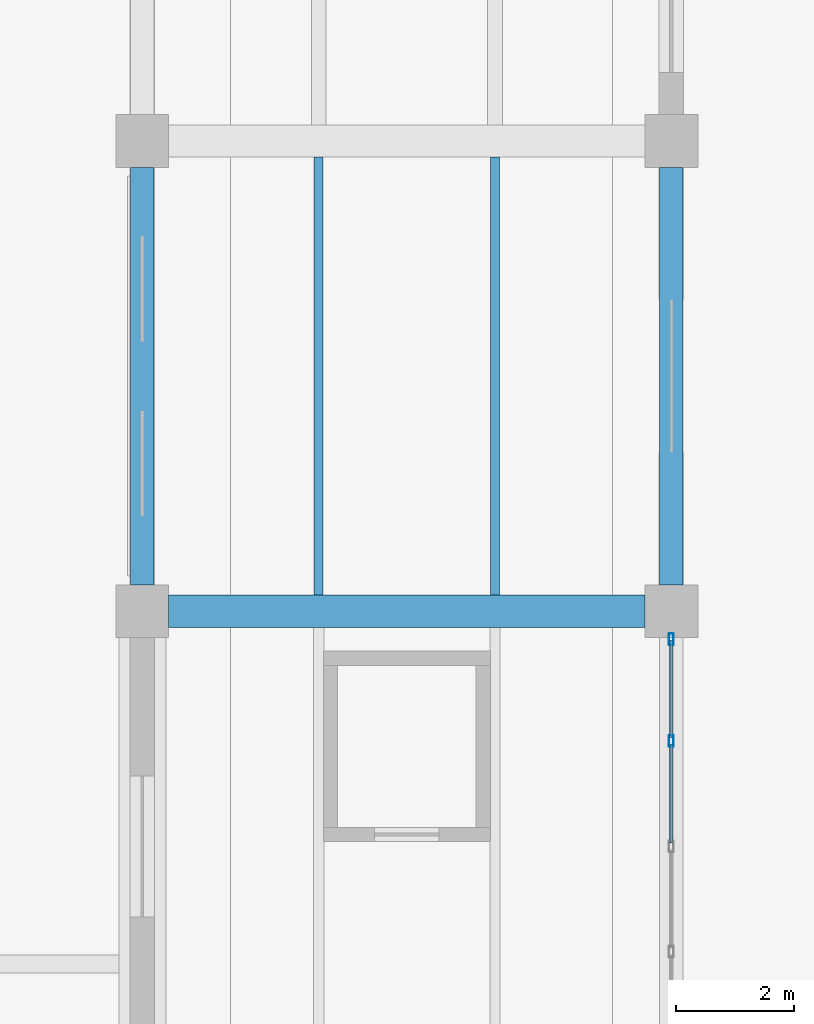
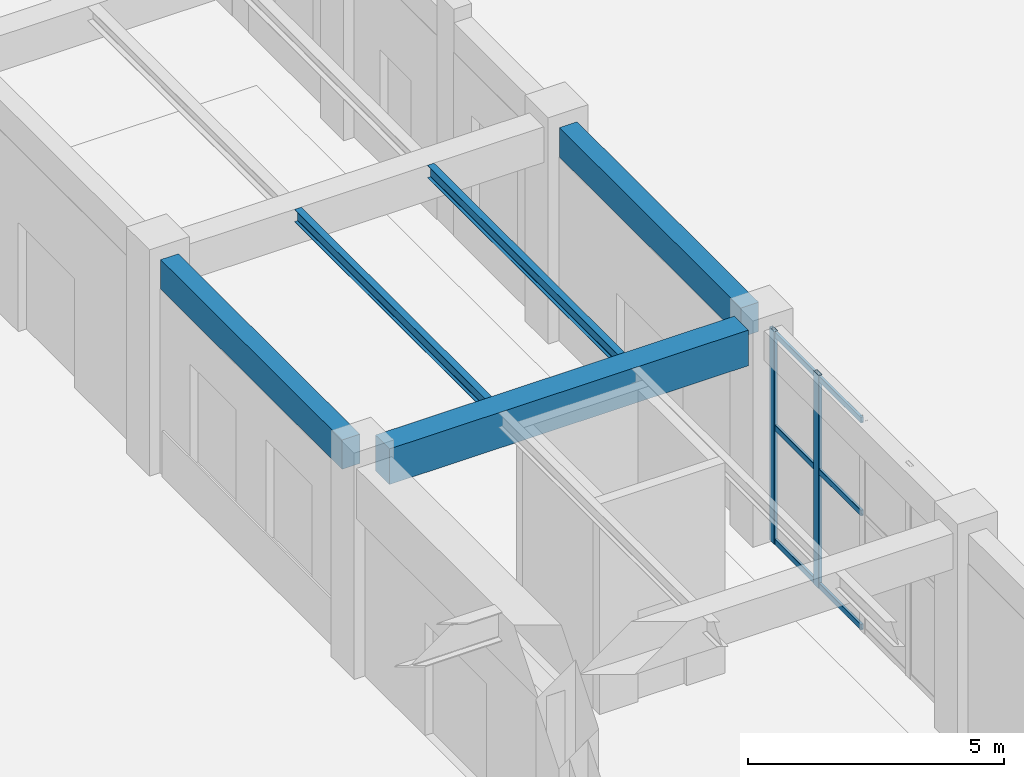
# One storey, part 46 of 121: 8 members, 5 beams, 1 element without a shape of its own.
"""IFC4 building model written with IfcOpenShell, lengths in metres."""

from ifc_helpers import new_model, si_unit, derived_unit, direction, frame, origin, origin_2d, place, context, subcontext, project, spatial, rectangle, hollow_rectangle, i_section, extrude, material, material_profile, profile_set, type_object, element, aggregate, save


model = new_model("IFC4")

# Units and contexts
model_context = context("Model", 3, precision=1e-05, world=origin(), true_north=direction((0.0, 1.0)))
body_context = subcontext(model_context, "Body", "Model", "MODEL_VIEW")
ifc_project = project(units=[si_unit("LENGTHUNIT", "METRE"), si_unit("AREAUNIT", "SQUARE_METRE"), si_unit("VOLUMEUNIT", "CUBIC_METRE"), si_unit("PLANEANGLEUNIT", "RADIAN"), si_unit("MASSUNIT", "GRAM", prefix="KILO"), derived_unit("THERMALTRANSMITTANCEUNIT", [(si_unit("MASSUNIT", "GRAM", prefix="KILO"), 1), (si_unit("TIMEUNIT", "SECOND"), -3), (si_unit("THERMODYNAMICTEMPERATUREUNIT", "KELVIN"), -1)])], contexts=[model_context])

# Site, building, storey
site_placement = place(None, origin())
site = spatial("IfcSite", under=ifc_project, at=site_placement, CompositionType="ELEMENT")
building_placement = place(site_placement, origin())
building = spatial("IfcBuilding", under=site, at=building_placement, Name="Zhenchuan Archway Interchange", CompositionType="ELEMENT")
storey_placement = place(building_placement, origin())
storey = spatial("IfcBuildingStorey", under=building, at=storey_placement, Name="L00", CompositionType="ELEMENT", Elevation=0.0)

# Beam
ifc_material_1 = material(Name="Concrete C40", Category="concrete")
ifc_material_profile_1 = material_profile(ifc_material_1, rectangle(XDim=0.550048828125, YDim=0.85009765625, at=origin_2d()), Name="RC 550x850")
ifc_profile_set_1 = profile_set([ifc_material_profile_1], Name="Concrete C40")
beam_type_1 = type_object("IfcBeamType", Name="BM_RC_550x850", PredefinedType="BEAM", material=ifc_profile_set_1)
beam_placement = place(storey_placement, frame((99.449951171875, 64.0, 4.655029296875), z_axis=(1.0, 0.0, 0.0), x_axis=(0.0, 1.0, 0.0)))
element("IfcBeam", 1, at=beam_placement, inside=storey, type_object=beam_type_1, Name="Beam J:12-13 (L00)", PredefinedType="BEAM", context=body_context, shape_type="SweptSolid", body=[
    extrude(rectangle(XDim=0.550048828125, YDim=0.85009765625, at=origin_2d()), origin(), (0.0, 0.0, 1.0), 8.10009765625),
])

# Curtain wall, members
ifc_material_2 = material(Name="Anodised Aluminium", Category="aluminium")
curtain_wall_type = type_object("IfcCurtainWallType", Name="CW_UNIT_2", PredefinedType="NOTDEFINED", material=ifc_material_2)
curtain_wall_placement = place(storey_placement, origin())
curtain_wall = element("IfcCurtainWall", 2, at=curtain_wall_placement, inside=storey, type_object=curtain_wall_type, Name="Unitised curtain wall CW:L00:025", PredefinedType="NOTDEFINED")
ifc_material_profile_2 = material_profile(ifc_material_2, hollow_rectangle(XDim=0.080078125, YDim=0.199951171875, WallThickness=0.00439453125, InnerFilletRadius=0.00439453125, OuterFilletRadius=0.009033203125, at=origin_2d()), Name="ALU 200x80x4.5")
ifc_profile_set_2 = profile_set([ifc_material_profile_2], Name="Anodised Aluminium")
member_type_1 = type_object("IfcMemberType", Name="CW_MUL_200", PredefinedType="MULLION", material=ifc_profile_set_2)
member_1_placement = place(storey_placement, frame((108.0, 63.52197265625, 0.0), z_axis=(0.0, 0.0, 1.0), x_axis=(1.0, 0.0, 0.0)))
member_1 = element("IfcMember", 3, at=member_1_placement, type_object=member_type_1, Name="CW:L00:025 mullion 0", PredefinedType="MULLION", context=body_context, shape_type="SweptSolid", body=[
    extrude(hollow_rectangle(XDim=0.080078125, YDim=0.199951171875, WallThickness=0.00439453125, InnerFilletRadius=0.00439453125, OuterFilletRadius=0.009033203125, at=origin_2d()), origin(), (0.0, 0.0, 1.0), 5.080078125),
])
member_2_placement = place(storey_placement, frame((108.0, 61.791015625, 0.0), z_axis=(0.0, 0.0, 1.0), x_axis=(1.0, 0.0, 0.0)))
member_2 = element("IfcMember", 4, at=member_2_placement, type_object=member_type_1, Name="CW:L00:025 mullion 1", PredefinedType="MULLION", context=body_context, shape_type="SweptSolid", body=[
    extrude(hollow_rectangle(XDim=0.080078125, YDim=0.199951171875, WallThickness=0.00439453125, InnerFilletRadius=0.00439453125, OuterFilletRadius=0.009033203125, at=origin_2d()), origin(), (0.0, 0.0, 1.0), 5.080078125),
])
ifc_material_profile_3 = material_profile(ifc_material_2, hollow_rectangle(XDim=0.06005859375, YDim=0.139892578125, WallThickness=0.00341796875, InnerFilletRadius=0.00341796875, OuterFilletRadius=0.007080078125, at=origin_2d()), Name="ALU 140x60x3.5")
ifc_profile_set_3 = profile_set([ifc_material_profile_3], Name="Anodised Aluminium")
member_type_2 = type_object("IfcMemberType", Name="CW_TRN_140", PredefinedType="USERDEFINED", material=ifc_profile_set_3)
member_3_placement = place(storey_placement, frame((108.0, 63.501953125, 0.06005859375), z_axis=(0.0, -1.0, 0.0), x_axis=(1.0, 0.0, 0.0)))
member_3 = element("IfcMember", 5, at=member_3_placement, type_object=member_type_2, Name="CW:L00:025 transom 0-1", ObjectType="TRANSOM", PredefinedType="USERDEFINED", context=body_context, shape_type="SweptSolid", body=[
    extrude(hollow_rectangle(XDim=0.06005859375, YDim=0.139892578125, WallThickness=0.00341796875, InnerFilletRadius=0.00341796875, OuterFilletRadius=0.007080078125, at=origin_2d()), origin(), (0.0, 0.0, 1.0), 1.65087890625),
])
member_4_placement = place(storey_placement, frame((108.0, 63.501953125, 2.782958984375), z_axis=(0.0, -1.0, 0.0), x_axis=(1.0, 0.0, 0.0)))
member_4 = element("IfcMember", 6, at=member_4_placement, type_object=member_type_2, Name="CW:L00:025 transom 0-2", ObjectType="TRANSOM", PredefinedType="USERDEFINED", context=body_context, shape_type="SweptSolid", body=[
    extrude(hollow_rectangle(XDim=0.06005859375, YDim=0.139892578125, WallThickness=0.00341796875, InnerFilletRadius=0.00341796875, OuterFilletRadius=0.007080078125, at=origin_2d()), origin(), (0.0, 0.0, 1.0), 1.65087890625),
])
member_5_placement = place(storey_placement, frame((108.0, 63.501953125, 5.0), z_axis=(0.0, -1.0, 0.0), x_axis=(1.0, 0.0, 0.0)))
member_5 = element("IfcMember", 7, at=member_5_placement, type_object=member_type_2, Name="CW:L00:025 transom 0-3", ObjectType="TRANSOM", PredefinedType="USERDEFINED", context=body_context, shape_type="SweptSolid", body=[
    extrude(hollow_rectangle(XDim=0.06005859375, YDim=0.139892578125, WallThickness=0.00341796875, InnerFilletRadius=0.00341796875, OuterFilletRadius=0.007080078125, at=origin_2d()), origin(), (0.0, 0.0, 1.0), 1.65087890625),
])
member_6_placement = place(storey_placement, frame((108.0, 61.73095703125, 0.06005859375), z_axis=(0.0, -1.0, 0.0), x_axis=(1.0, 0.0, 0.0)))
member_6 = element("IfcMember", 8, at=member_6_placement, type_object=member_type_2, Name="CW:L00:025 transom 1-1", ObjectType="TRANSOM", PredefinedType="USERDEFINED", context=body_context, shape_type="SweptSolid", body=[
    extrude(hollow_rectangle(XDim=0.06005859375, YDim=0.139892578125, WallThickness=0.00341796875, InnerFilletRadius=0.00341796875, OuterFilletRadius=0.007080078125, at=origin_2d()), origin(), (0.0, 0.0, 1.0), 1.6708984375),
])
member_7_placement = place(storey_placement, frame((108.0, 61.73095703125, 2.782958984375), z_axis=(0.0, -1.0, 0.0), x_axis=(1.0, 0.0, 0.0)))
member_7 = element("IfcMember", 9, at=member_7_placement, type_object=member_type_2, Name="CW:L00:025 transom 1-2", ObjectType="TRANSOM", PredefinedType="USERDEFINED", context=body_context, shape_type="SweptSolid", body=[
    extrude(hollow_rectangle(XDim=0.06005859375, YDim=0.139892578125, WallThickness=0.00341796875, InnerFilletRadius=0.00341796875, OuterFilletRadius=0.007080078125, at=origin_2d()), origin(), (0.0, 0.0, 1.0), 1.6708984375),
])
member_8_placement = place(storey_placement, frame((108.0, 61.73095703125, 5.0), z_axis=(0.0, -1.0, 0.0), x_axis=(1.0, 0.0, 0.0)))
member_8 = element("IfcMember", 10, at=member_8_placement, type_object=member_type_2, Name="CW:L00:025 transom 1-3", ObjectType="TRANSOM", PredefinedType="USERDEFINED", context=body_context, shape_type="SweptSolid", body=[
    extrude(hollow_rectangle(XDim=0.06005859375, YDim=0.139892578125, WallThickness=0.00341796875, InnerFilletRadius=0.00341796875, OuterFilletRadius=0.007080078125, at=origin_2d()), origin(), (0.0, 0.0, 1.0), 1.6708984375),
])
aggregate(curtain_wall, [member_1, member_2, member_3, member_4, member_5, member_6, member_7, member_8])

# Beams
ifc_material_3 = material(Name="Steel Q355", Category="steel")
ifc_material_profile_4 = material_profile(ifc_material_3, i_section(OverallWidth=0.14990234375, OverallDepth=0.300048828125, WebThickness=0.006591796875, FlangeThickness=0.009033203125, FilletRadius=0.012939453125, at=origin_2d()), Name="HN 300x150")
ifc_profile_set_4 = profile_set([ifc_material_profile_4], Name="Steel Q355")
beam_type_2 = type_object("IfcBeamType", Name="JST_STL_HN300", PredefinedType="JOIST", material=ifc_profile_set_4)
for number, where, z_axis, x_axis, name in (
    (11, (102.0, 64.27490234375, 4.929931640625), (0.0, 1.0, 0.0), (-1.0, 0.0, 0.0), "Secondary joist 12-13/J-K #1 (L00)"),
    (12, (105.0, 64.27490234375, 4.929931640625), (0.0, 1.0, 0.0), (-1.0, 0.0, 0.0), "Secondary joist 12-13/J-K #2 (L00)"),
):
    element("IfcBeam", number, at=place(storey_placement, frame(where, z_axis=z_axis, x_axis=x_axis)), inside=storey, type_object=beam_type_2, Name=name, PredefinedType="JOIST", context=body_context, shape_type="SweptSolid", body=[
        extrude(i_section(OverallWidth=0.14990234375, OverallDepth=0.300048828125, WebThickness=0.006591796875, FlangeThickness=0.009033203125, FilletRadius=0.012939453125, at=origin_2d()), origin(), (0.0, 0.0, 1.0), 7.4501953125),
    ])
ifc_material_profile_5 = material_profile(ifc_material_1, rectangle(XDim=0.39990234375, YDim=0.699951171875, at=origin_2d()), Name="RC 400x700")
ifc_profile_set_5 = profile_set([ifc_material_profile_5], Name="Concrete C40")
beam_type_3 = type_object("IfcBeamType", Name="SP_RC_400x700", PredefinedType="SPANDREL", material=ifc_profile_set_5)
for number, where, z_axis, x_axis, name in (
    (13, (99.0, 64.449951171875, 4.72998046875), (0.0, 1.0, 0.0), (-1.0, 0.0, 0.0), "Beam 12:J-K (L00)"),
    (14, (108.0, 64.449951171875, 4.72998046875), (0.0, 1.0, 0.0), (-1.0, 0.0, 0.0), "Beam 13:J-K (L00)"),
):
    element("IfcBeam", number, at=place(storey_placement, frame(where, z_axis=z_axis, x_axis=x_axis)), inside=storey, type_object=beam_type_3, Name=name, PredefinedType="SPANDREL", context=body_context, shape_type="SweptSolid", body=[
        extrude(rectangle(XDim=0.39990234375, YDim=0.699951171875, at=origin_2d()), origin(), (0.0, 0.0, 1.0), 7.10009765625),
    ])

save(model, "model.ifc")
